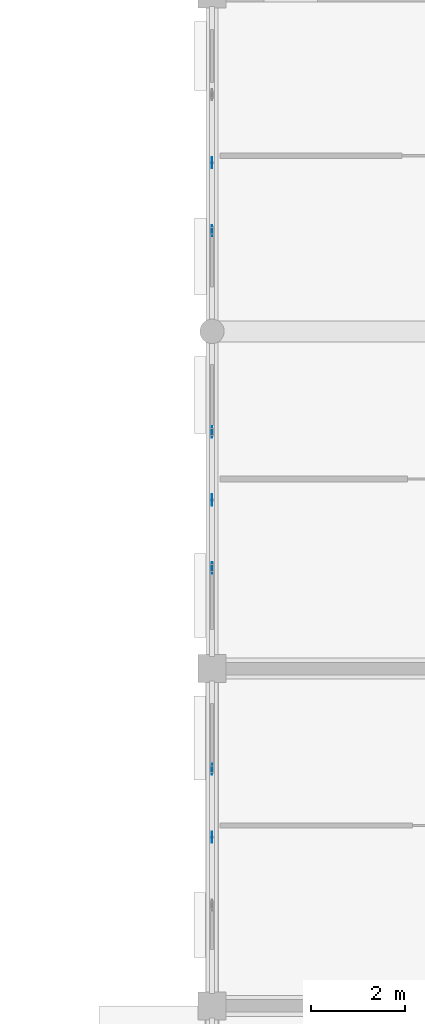
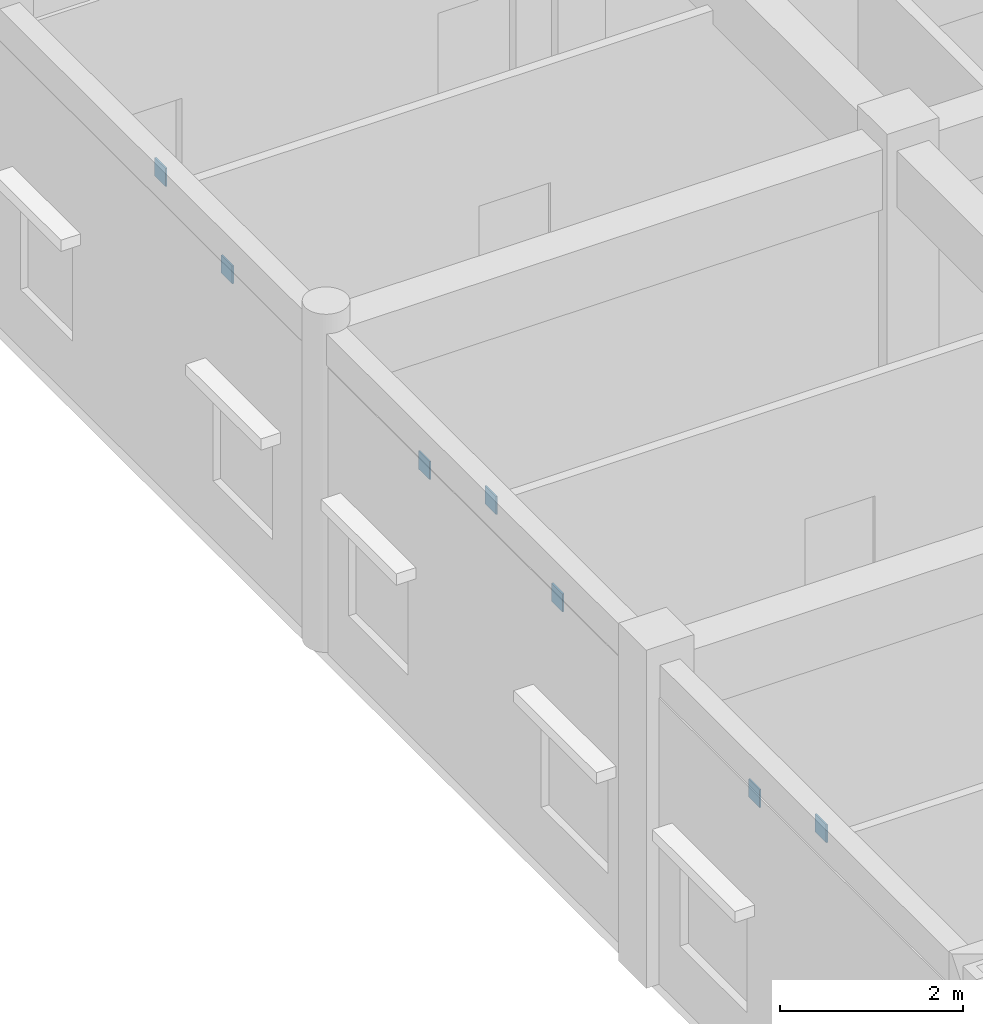
# One storey, part 86 of 138: 7 plates.
"""IFC4 building model written with IfcOpenShell, lengths in metres."""

from ifc_helpers import new_model, si_unit, direction, frame, origin, origin_2d, place, context, subcontext, project, spatial, rectangle, extrude, material, layer, layer_set, type_object, element, save


model = new_model("IFC4")

# Units and contexts
model_context = context("Model", 3, precision=1e-05, world=origin(), true_north=direction((0.0, 1.0)))
body_context = subcontext(model_context, "Body", "Model", "MODEL_VIEW")
ifc_project = project(units=[si_unit("LENGTHUNIT", "METRE"), si_unit("AREAUNIT", "SQUARE_METRE"), si_unit("VOLUMEUNIT", "CUBIC_METRE"), si_unit("PLANEANGLEUNIT", "RADIAN"), si_unit("MASSUNIT", "GRAM", prefix="KILO"), si_unit("THERMODYNAMICTEMPERATUREUNIT", "KELVIN"), si_unit("POWERUNIT", "WATT")], contexts=[model_context])

# Site, building, storey
site_placement = place(None, origin())
site = spatial("IfcSite", under=ifc_project, at=site_placement, CompositionType="ELEMENT")
building_placement = place(site_placement, origin())
building = spatial("IfcBuilding", under=site, at=building_placement, Name="Tavuni Mirador Residences", CompositionType="ELEMENT")
storey_placement = place(building_placement, origin())
storey = spatial("IfcBuildingStorey", under=building, at=storey_placement, Name="L00", CompositionType="ELEMENT", Elevation=0.0)

# Plates
ifc_material = material(Name="Structural steel S355", Category="steel")
ifc_layer = layer(ifc_material, 0.01806640625, Name="Structural steel S355", Category="steel")
ifc_layer_set = layer_set([ifc_layer], Name="Structural steel S355")
plate_type = type_object("IfcPlateType", Name="PLT-GP05", PredefinedType="USERDEFINED", material=ifc_layer_set)
for number, where, z_axis, x_axis, name in (
    (1, (90.0, 118.800048828125, 3.91015625), (0.0, 0.0, 1.0), (1.0, 0.0, 0.0), "ARCH-BLKD-W-04-GCR"),
    (2, (90.0, 120.251953125, 3.49560546875), (0.0, 0.0, 1.0), (1.0, 0.0, 0.0), "ARCH-BLKD-W-04-GQ2"),
    (3, (90.0, 124.548095703125, 3.49560546875), (0.0, 0.0, 1.0), (1.0, 0.0, 0.0), "ARCH-BLKD-W-05-GQ1"),
    (4, (90.0, 126.0, 3.91015625), (0.0, 0.0, 1.0), (1.0, 0.0, 0.0), "ARCH-BLKD-W-05-GCR"),
    (5, (90.0, 127.451904296875, 3.49560546875), (0.0, 0.0, 1.0), (1.0, 0.0, 0.0), "ARCH-BLKD-W-05-GQ2"),
    (6, (90.0, 131.748046875, 3.49560546875), (0.0, 0.0, 1.0), (1.0, 0.0, 0.0), "ARCH-BLKD-W-06-GQ1"),
    (7, (90.0, 133.199951171875, 3.91015625), (0.0, 0.0, 1.0), (1.0, 0.0, 0.0), "ARCH-BLKD-W-06-GCR"),
):
    element("IfcPlate", number, at=place(storey_placement, frame(where, z_axis=z_axis, x_axis=x_axis)), inside=storey, type_object=plate_type, Name=name, ObjectType="GUSSET PLATE", PredefinedType="USERDEFINED", context=body_context, shape_type="SweptSolid", body=[
        extrude(rectangle(XDim=0.02001953125, YDim=0.239990234375, at=origin_2d()), origin(), (0.0, 0.0, 1.0), 0.239990234375),
    ])

save(model, "model.ifc")
